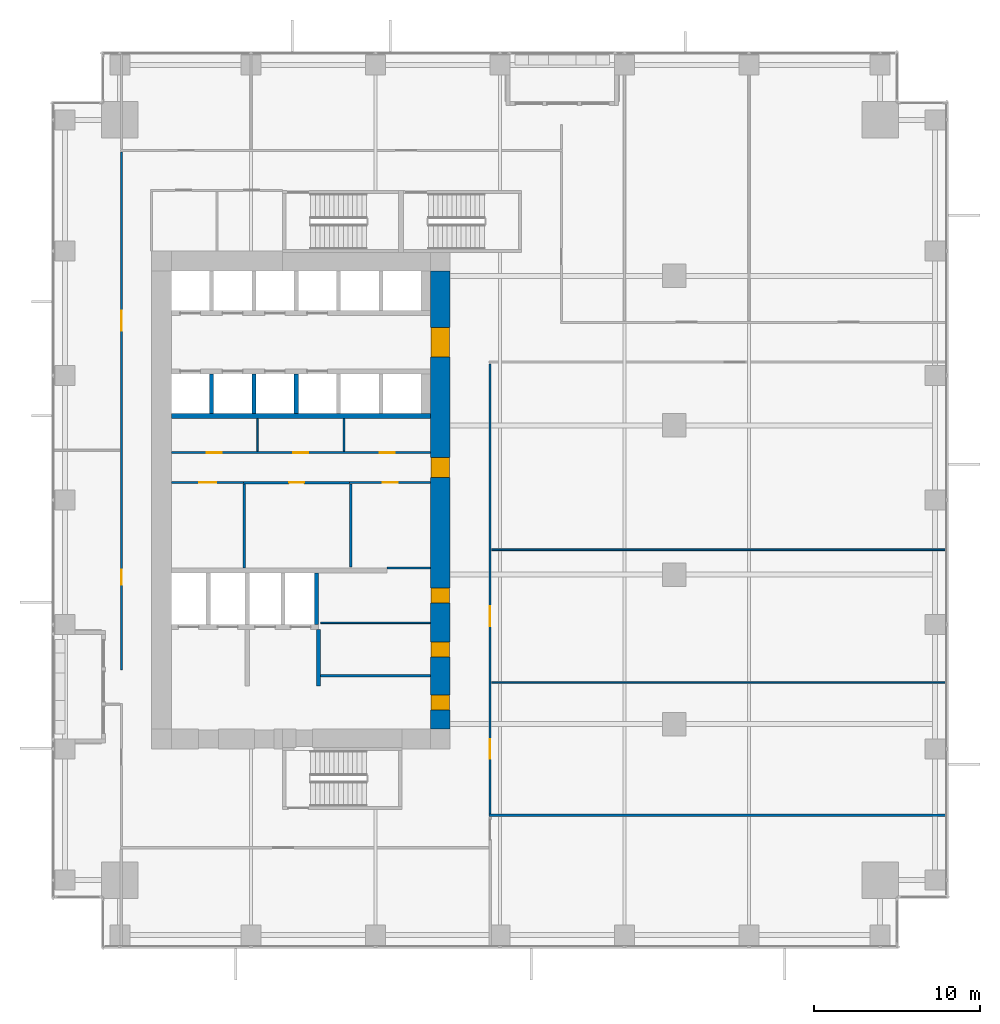
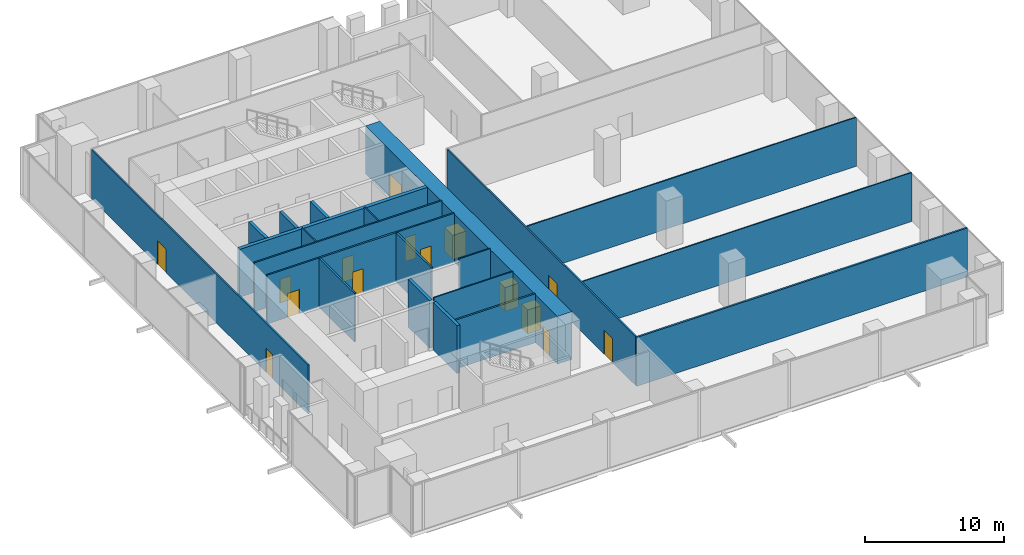
# One storey, part 28 of 33: 23 walls, 15 doors, 15 openings.
"""IFC4 building model written with IfcOpenShell, lengths in metres."""

import ifcopenshell
import ifcopenshell.guid

model = None  # the IFC model being written
_history = None  # IfcOwnerHistory: only IFC2X3 demands one
_inside = {}  # id of a spatial element -> (the spatial element, [elements in it])
_under = {}  # id of a project, library or spatial element -> (it, [spatial elements below it])
_declared = {}  # id of a project -> (the project, [libraries it declares])
_typed = {}  # id of a type object -> (the type object, [elements of that type])
_made_of = {}  # id of a material, layer set ... -> (it, [elements and type objects made of it])


def new_model(schema):
    """Start an empty IFC model of exactly this schema.

    Asked for "IFC4X3", IfcOpenShell would pick the latest addendum, in which some entities
    have other attributes; the version numbers below select the first issue.
    IFC2X3 requires an IfcOwnerHistory on every rooted entity: one is made here for all.
    """
    global model, _history
    if schema == "IFC4X3":
        model = ifcopenshell.file(schema_version=(4, 3, 0, 0))
    else:
        model = ifcopenshell.file(schema=schema)
    _inside.clear()
    _under.clear()
    _declared.clear()
    _typed.clear()
    _made_of.clear()
    _history = None
    if model.schema == "IFC2X3":
        org = make("IfcOrganization", Name="unknown")
        user = make(
            "IfcPersonAndOrganization",
            ThePerson=make("IfcPerson", FamilyName="unknown"),
            TheOrganization=org,
        )
        app = make(
            "IfcApplication",
            ApplicationDeveloper=org,
            Version="unknown",
            ApplicationFullName="unknown",
            ApplicationIdentifier="unknown",
        )
        _history = make(
            "IfcOwnerHistory",
            OwningUser=user,
            OwningApplication=app,
            ChangeAction="ADDED",
            CreationDate=0,
        )
    return model


def make(cls, **values):
    """One entity of the class cls with the attributes given. An attribute that is None is left unset."""
    return model.create_entity(
        cls, **{name: value for name, value in values.items() if value is not None}
    )


def rooted(cls, **values):
    """An entity with a GlobalId (a new one), such as an element, a storey or a relation."""
    return make(cls, GlobalId=ifcopenshell.guid.new(), OwnerHistory=_history, **values)


def si_unit(unit_type, name, prefix=None):
    """IfcSIUnit, for example si_unit("LENGTHUNIT", "METRE", prefix="MILLI")."""
    return make("IfcSIUnit", UnitType=unit_type, Prefix=prefix, Name=name)


def assignment(units):
    """IfcUnitAssignment: the units of a project."""
    return None if units is None else make("IfcUnitAssignment", Units=units)


def point(xyz):
    """IfcCartesianPoint."""
    return None if xyz is None else make("IfcCartesianPoint", Coordinates=xyz)


def direction(xyz):
    """IfcDirection."""
    return None if xyz is None else make("IfcDirection", DirectionRatios=xyz)


def frame(location, z_axis=None, x_axis=None):
    """IfcAxis2Placement3D, a coordinate frame: its origin and axes. An axis left out is left unset."""
    return make(
        "IfcAxis2Placement3D",
        Location=point(location),
        Axis=direction(z_axis),
        RefDirection=direction(x_axis),
    )


def frame_2d(location, x_axis=None):
    """IfcAxis2Placement2D, a coordinate frame in the plane: its origin and x axis."""
    return make(
        "IfcAxis2Placement2D", Location=point(location), RefDirection=direction(x_axis)
    )


def origin():
    """The frame at (0, 0, 0) with its axes left unset."""
    return frame((0.0, 0.0, 0.0))


def place(relative_to, where):
    """IfcLocalPlacement: puts the frame where relative to a parent placement (None: the world)."""
    return make(
        "IfcLocalPlacement", PlacementRelTo=relative_to, RelativePlacement=where
    )


def context(
    kind, dimensions, precision=None, world=None, true_north=None, identifier=None
):
    """IfcGeometricRepresentationContext, for example the 3D "Model" context."""
    return make(
        "IfcGeometricRepresentationContext",
        ContextIdentifier=identifier,
        ContextType=kind,
        CoordinateSpaceDimension=dimensions,
        Precision=precision,
        WorldCoordinateSystem=world,
        TrueNorth=true_north,
    )


def subcontext(parent, identifier, kind, view, scale=None):
    """IfcGeometricRepresentationSubContext, for example "Body" below "Model"."""
    return make(
        "IfcGeometricRepresentationSubContext",
        ContextIdentifier=identifier,
        ContextType=kind,
        ParentContext=parent,
        TargetScale=scale,
        TargetView=view,
    )


def project(units=None, contexts=None):
    """IfcProject with its units and contexts."""
    return rooted(
        "IfcProject",
        Name="project",
        RepresentationContexts=contexts,
        UnitsInContext=assignment(units),
    )


def spatial(cls, under=None, at=None, **own):
    """A site, building, storey or space (cls), placed at a placement, below another one or the project."""
    s = rooted(cls, ObjectPlacement=at, **own)
    if under is not None:
        _under.setdefault(under.id(), (under, []))[1].append(s)
    return s


def profile(cls, at=None, kind="AREA", **sizes):
    """A parametric profile (cls). Its sizes go by their IFC names, for example OverallWidth=200.0."""
    return make(cls, ProfileType=kind, Position=at, **sizes)


def rectangle(**sizes):
    """IfcRectangleProfileDef."""
    return profile("IfcRectangleProfileDef", **sizes)


def extrude(swept, where, along, depth):
    """IfcExtrudedAreaSolid: the profile swept, set in the frame where, extruded along a direction by depth."""
    return make(
        "IfcExtrudedAreaSolid",
        SweptArea=swept,
        Position=where,
        ExtrudedDirection=direction(along),
        Depth=depth,
    )


def shape(context_of_items, identifier, shape_type, items):
    """IfcShapeRepresentation: the items that make up one representation, for example the "Body"."""
    return make(
        "IfcShapeRepresentation",
        ContextOfItems=context_of_items,
        RepresentationIdentifier=identifier,
        RepresentationType=shape_type,
        Items=items,
    )


def source(mapping_origin, context_of_items, identifier, shape_type, items):
    """IfcRepresentationMap: a shape defined once, which mapped items show again and again."""
    return make(
        "IfcRepresentationMap",
        MappingOrigin=mapping_origin,
        MappedRepresentation=shape(context_of_items, identifier, shape_type, items),
    )


def transform(
    local_origin,
    x_axis=None,
    y_axis=None,
    z_axis=None,
    scale=None,
    scale2=None,
    scale3=None,
    uniform=True,
):
    """IfcCartesianTransformationOperator3D, or its non-uniform kind. x_axis, y_axis, z_axis: its Axis1, 2, 3."""
    if uniform:
        return make(
            "IfcCartesianTransformationOperator3D",
            Axis1=direction(x_axis),
            Axis2=direction(y_axis),
            LocalOrigin=point(local_origin),
            Scale=scale,
            Axis3=direction(z_axis),
        )
    return make(
        "IfcCartesianTransformationOperator3DnonUniform",
        Axis1=direction(x_axis),
        Axis2=direction(y_axis),
        LocalOrigin=point(local_origin),
        Scale=scale,
        Axis3=direction(z_axis),
        Scale2=scale2,
        Scale3=scale3,
    )


def mapped(mapping_source, mapping_target):
    """IfcMappedItem: shows the shape of a source again, moved by a transform."""
    return make(
        "IfcMappedItem", MappingSource=mapping_source, MappingTarget=mapping_target
    )


def material(Name=None, Category=None):
    """IfcMaterial."""
    return make("IfcMaterial", Name=Name, Category=Category)


def layer(
    of_material, thickness, ventilated=None, Name=None, Category=None, Priority=None
):
    """IfcMaterialLayer: one layer of a wall or slab, of a material (None: an air gap)."""
    return make(
        "IfcMaterialLayer",
        Material=of_material,
        LayerThickness=thickness,
        IsVentilated=ventilated,
        Name=Name,
        Category=Category,
        Priority=Priority,
    )


def layer_set(layers, Name=None):
    """IfcMaterialLayerSet."""
    return make("IfcMaterialLayerSet", MaterialLayers=layers, LayerSetName=Name)


def made_of(thing, what):
    """Note that an element or type object is made of a material, layer set ...; save() writes the relation."""
    if what is not None:
        _made_of.setdefault(what.id(), (what, []))[1].append(thing)
    return thing


def type_object(cls, material=None, **own):
    """A type object (cls), such as IfcWallType, which elements share."""
    return made_of(rooted(cls, **own), material)


def element(
    cls,
    number,
    at=None,
    inside=None,
    cuts=None,
    type_object=None,
    material=None,
    context=None,
    identifier="Body",
    shape_type=None,
    held_by="IfcProductDefinitionShape",
    body=None,
    shapes=None,
    **own,
):
    """One element of the class cls, such as IfcWall. Its Tag is "e" and its number.

    at: its placement. inside: the storey or other place that contains it. cuts: it is an
    opening in that element (IfcRelVoidsElement). A single representation is given by context,
    identifier, shape_type and body (its items); several are given by shapes. held_by: the class
    of the entity that holds the representations. save() writes the other relations.
    """
    e = rooted(cls, Tag="e%d" % number, ObjectPlacement=at, **own)
    if body is not None:
        shapes = [shape(context, identifier, shape_type, body)]
    if shapes is not None:
        e.Representation = make(held_by, Representations=shapes)
    if inside is not None:
        _inside.setdefault(inside.id(), (inside, []))[1].append(e)
    if cuts is not None:
        rooted(
            "IfcRelVoidsElement", RelatingBuildingElement=cuts, RelatedOpeningElement=e
        )
    if type_object is not None:
        _typed.setdefault(type_object.id(), (type_object, []))[1].append(e)
    return made_of(e, material)


def fill(opening, filler):
    """IfcRelFillsElement: the door or window that sits in an opening."""
    return rooted(
        "IfcRelFillsElement",
        RelatingOpeningElement=opening,
        RelatedBuildingElement=filler,
    )


def aggregate(whole, parts):
    """IfcRelAggregates: a whole, such as a stair, and the parts it consists of."""
    return rooted("IfcRelAggregates", RelatingObject=whole, RelatedObjects=parts)


def save(model, path):
    """Write the relations noted so far, then the file.

    IfcRelAggregates (storeys below a building ...), IfcRelContainedInSpatialStructure (elements
    in a storey), IfcRelDefinesByType, IfcRelAssociatesMaterial and IfcRelDeclares: one each for
    every whole, place, type object, material and project.
    """
    for whole, parts in _under.values():
        aggregate(whole, parts)
    for where, things in _inside.values():
        rooted(
            "IfcRelContainedInSpatialStructure",
            RelatedElements=things,
            RelatingStructure=where,
        )
    for kind, things in _typed.values():
        rooted("IfcRelDefinesByType", RelatedObjects=things, RelatingType=kind)
    for what, things in _made_of.values():
        rooted("IfcRelAssociatesMaterial", RelatedObjects=things, RelatingMaterial=what)
    for by, libraries in _declared.values():
        rooted("IfcRelDeclares", RelatingContext=by, RelatedDefinitions=libraries)
    model.write(path)


model = new_model("IFC4")

# Units and contexts
model_context = context("Model", 3, precision=1e-05, world=origin(), true_north=direction((0.0, 1.0)))
body_context = subcontext(model_context, "Body", "Model", "MODEL_VIEW")
ifc_project = project(units=[si_unit("LENGTHUNIT", "METRE"), si_unit("AREAUNIT", "SQUARE_METRE"), si_unit("VOLUMEUNIT", "CUBIC_METRE"), si_unit("PLANEANGLEUNIT", "RADIAN"), si_unit("MASSUNIT", "GRAM", prefix="KILO")], contexts=[model_context])

# Site, building, storey
site_placement = place(None, origin())
site = spatial("IfcSite", under=ifc_project, at=site_placement, CompositionType="ELEMENT")
building_placement = place(site_placement, origin())
building = spatial("IfcBuilding", under=site, at=building_placement, Name="Khomas Fold Tower", CompositionType="ELEMENT")
storey_placement = place(building_placement, frame((0.0, 0.0, 55.5)))
storey = spatial("IfcBuildingStorey", under=building, at=storey_placement, Name="L11", CompositionType="ELEMENT", Elevation=55.5)

# Wall, openings, doors
ifc_material_1 = material(Name="Concrete C70/85", Category="concrete")
ifc_layer_1 = layer(ifc_material_1, 1.199951171875)
ifc_layer_set_1 = layer_set([ifc_layer_1], Name="Concrete C70/85")
wall_type_1 = type_object("IfcWallType", Name="Core wall 1200", PredefinedType="SHEAR", material=ifc_layer_set_1)
shared_shape_1 = source(origin(), body_context, "Body", "SweptSolid", [
    extrude(rectangle(XDim=27.60009765625, YDim=1.199951171875, at=frame_2d((13.800048828125, 0.0))), origin(), (0.0, 0.0, 1.0), 4.199951171875),
])
wall_1_placement = place(storey_placement, frame((23.39990234375, 13.199951171875, 0.0), z_axis=(0.0, 0.0, 1.0), x_axis=(0.0, 1.0, 0.0)))
wall_1 = element("IfcWall", 1, at=wall_1_placement, inside=storey, type_object=wall_type_1, Name="Core wall CW-L-E-B2", PredefinedType="SHEAR", context=body_context, shape_type="MappedRepresentation", body=[
    mapped(shared_shape_1, transform((0.0, 0.0, 0.0))),
])
shared_shape_2 = source(origin(), body_context, "Body", "SweptSolid", [
    extrude(rectangle(XDim=1.800048828125, YDim=2.10009765625, at=frame_2d((0.89990234375, 1.050048828125))), frame((0.0, 0.60986328125, 0.0), z_axis=(0.0, -1.0, 0.0), x_axis=(1.0, 0.0, 0.0)), (0.0, 0.0, 1.0), 1.219970703125),
])
opening_1_placement = place(wall_1_placement, frame((22.39990234375, 0.0, 0.0)))
opening_1 = element("IfcOpeningElement", 2, at=opening_1_placement, cuts=wall_1, Name="Opening 0015", PredefinedType="OPENING", context=body_context, shape_type="MappedRepresentation", body=[
    mapped(shared_shape_2, transform((0.0, 0.0, 0.0))),
])
shared_shape_3 = source(origin(), body_context, "Body", "SweptSolid", [
    extrude(rectangle(XDim=1.199951171875, YDim=2.10009765625, at=frame_2d((0.60009765625, 1.050048828125))), frame((0.0, 0.60986328125, 0.0), z_axis=(0.0, -1.0, 0.0), x_axis=(1.0, 0.0, 0.0)), (0.0, 0.0, 1.0), 1.219970703125),
])
opening_2_placement = place(wall_1_placement, frame((15.14990234375, 0.0, 0.0)))
opening_2 = element("IfcOpeningElement", 3, at=opening_2_placement, cuts=wall_1, Name="Opening 0001", PredefinedType="OPENING", context=body_context, shape_type="MappedRepresentation", body=[
    mapped(shared_shape_3, transform((0.0, 0.0, 0.0))),
])
shared_shape_4 = source(origin(), body_context, "Body", "SweptSolid", [
    extrude(rectangle(XDim=0.89990234375, YDim=2.10009765625, at=frame_2d((0.449951171875, 1.050048828125))), frame((0.0, 0.60986328125, 0.0), z_axis=(0.0, -1.0, 0.0), x_axis=(1.0, 0.0, 0.0)), (0.0, 0.0, 1.0), 1.219970703125),
])
opening_3_placement = place(wall_1_placement, frame((1.14990234375, 0.0, 0.0)))
opening_3 = element("IfcOpeningElement", 4, at=opening_3_placement, cuts=wall_1, Name="Opening 0003", PredefinedType="OPENING", context=body_context, shape_type="MappedRepresentation", body=[
    mapped(shared_shape_4, transform((0.0, 0.0, 0.0))),
])
opening_4_placement = place(wall_1_placement, frame((4.35009765625, 0.0, 0.0)))
opening_4 = element("IfcOpeningElement", 5, at=opening_4_placement, cuts=wall_1, Name="Opening 0008", PredefinedType="OPENING", context=body_context, shape_type="MappedRepresentation", body=[
    mapped(shared_shape_4, transform((0.0, 0.0, 0.0))),
])
opening_5_placement = place(wall_1_placement, frame((7.60009765625, 0.0, 0.0)))
opening_5 = element("IfcOpeningElement", 6, at=opening_5_placement, cuts=wall_1, Name="Opening 0008", PredefinedType="OPENING", context=body_context, shape_type="MappedRepresentation", body=[
    mapped(shared_shape_4, transform((0.0, 0.0, 0.0))),
])
ifc_material_2 = material(Name="Timber door leaf", Category="wood")
door_type_1 = type_object("IfcDoorType", Name="Door 1200x2100 right-hand", OperationType="SINGLE_SWING_RIGHT", PredefinedType="DOOR", material=ifc_material_2)
shared_shape_5 = source(origin(), body_context, "Body", "SweptSolid", [
    extrude(rectangle(XDim=1.199951171875, YDim=2.10009765625, at=frame_2d((0.60009765625, 1.050048828125))), frame((0.0, 0.5498046875, 0.0), z_axis=(0.0, -1.0, 0.0), x_axis=(1.0, 0.0, 0.0)), (0.0, 0.0, 1.0), 1.099853515625),
])
door_1_placement = place(opening_2_placement, origin())
door_1 = element("IfcDoor", 7, at=door_1_placement, inside=storey, type_object=door_type_1, Name="Door", OperationType="SINGLE_SWING_RIGHT", OverallHeight=2.10009765625, OverallWidth=1.199951171875, PredefinedType="DOOR", context=body_context, shape_type="MappedRepresentation", body=[
    mapped(shared_shape_5, transform((0.0, 0.0, 0.0))),
])
fill(opening_2, door_1)
ifc_material_3 = material(Name="Steel door leaf", Category="steel")
door_type_2 = type_object("IfcDoorType", Name="Plant room door 900x2100 right-hand", OperationType="SINGLE_SWING_RIGHT", PredefinedType="DOOR", material=ifc_material_3)
shared_shape_6 = source(origin(), body_context, "Body", "SweptSolid", [
    extrude(rectangle(XDim=0.89990234375, YDim=2.10009765625, at=frame_2d((0.449951171875, 1.050048828125))), frame((0.0, 0.5498046875, 0.0), z_axis=(0.0, -1.0, 0.0), x_axis=(1.0, 0.0, 0.0)), (0.0, 0.0, 1.0), 1.099853515625),
])
door_2_placement = place(opening_3_placement, origin())
door_2 = element("IfcDoor", 8, at=door_2_placement, inside=storey, type_object=door_type_2, Name="Plant room door", OperationType="SINGLE_SWING_RIGHT", OverallHeight=2.10009765625, OverallWidth=0.89990234375, PredefinedType="DOOR", context=body_context, shape_type="MappedRepresentation", body=[
    mapped(shared_shape_6, transform((0.0, 0.0, 0.0))),
])
fill(opening_3, door_2)
ifc_material_4 = material(Name="Timber door leaf", Category="wood")
door_type_3 = type_object("IfcDoorType", Name="Door 900x2100 right-hand", OperationType="SINGLE_SWING_RIGHT", PredefinedType="DOOR", material=ifc_material_4)
door_3_placement = place(opening_4_placement, origin())
door_3 = element("IfcDoor", 9, at=door_3_placement, inside=storey, type_object=door_type_3, Name="Door", OperationType="SINGLE_SWING_RIGHT", OverallHeight=2.10009765625, OverallWidth=0.89990234375, PredefinedType="DOOR", context=body_context, shape_type="MappedRepresentation", body=[
    mapped(shared_shape_6, transform((0.0, 0.0, 0.0))),
])
fill(opening_4, door_3)
door_4_placement = place(opening_5_placement, origin())
door_4 = element("IfcDoor", 10, at=door_4_placement, inside=storey, type_object=door_type_3, Name="Door", OperationType="SINGLE_SWING_RIGHT", OverallHeight=2.10009765625, OverallWidth=0.89990234375, PredefinedType="DOOR", context=body_context, shape_type="MappedRepresentation", body=[
    mapped(shared_shape_6, transform((0.0, 0.0, 0.0))),
])
fill(opening_5, door_4)
ifc_material_5 = material(Name="Steel door leaf", Category="steel")
door_type_4 = type_object("IfcDoorType", Name="Lobby door 1800x2100", OperationType="DOUBLE_DOOR_SINGLE_SWING", PredefinedType="DOOR", material=ifc_material_5)
shared_shape_7 = source(origin(), body_context, "Body", "SweptSolid", [
    extrude(rectangle(XDim=1.800048828125, YDim=2.10009765625, at=frame_2d((0.89990234375, 1.050048828125))), frame((0.0, 0.5498046875, 0.0), z_axis=(0.0, -1.0, 0.0), x_axis=(1.0, 0.0, 0.0)), (0.0, 0.0, 1.0), 1.099853515625),
])
door_5_placement = place(opening_1_placement, origin())
door_5 = element("IfcDoor", 11, at=door_5_placement, inside=storey, type_object=door_type_4, Name="Lobby door", OperationType="DOUBLE_DOOR_SINGLE_SWING", OverallHeight=2.10009765625, OverallWidth=1.800048828125, PredefinedType="DOOR", context=body_context, shape_type="MappedRepresentation", body=[
    mapped(shared_shape_7, transform((0.0, 0.0, 0.0))),
])
fill(opening_1, door_5)

# Walls
ifc_material_6 = material(Name="Concrete C50/60", Category="concrete")
ifc_layer_2 = layer(ifc_material_6, 0.300048828125)
ifc_layer_set_2 = layer_set([ifc_layer_2], Name="Concrete C50/60")
wall_type_2 = type_object("IfcWallType", Name="Shaft wall 300", PredefinedType="STANDARD", material=ifc_layer_set_2)
shared_shape_8 = source(origin(), body_context, "Body", "SweptSolid", [
    extrude(rectangle(XDim=15.60009765625, YDim=0.300048828125, at=frame_2d((7.800048828125, 0.0))), origin(), (0.0, 0.0, 1.0), 4.199951171875),
])
wall_2_placement = place(storey_placement, frame((7.199951171875, 32.050048828125, 0.0), z_axis=(0.0, 0.0, 1.0), x_axis=(1.0, 0.0, 0.0)))
element("IfcWall", 12, at=wall_2_placement, inside=storey, type_object=wall_type_2, Name="Core wall SW-HRN-B", PredefinedType="STANDARD", context=body_context, shape_type="MappedRepresentation", body=[
    mapped(shared_shape_8, transform((0.0, 0.0, 0.0))),
])
ifc_material_7 = material(Name="Concrete C50/60", Category="concrete")
ifc_layer_3 = layer(ifc_material_7, 0.25)
ifc_layer_set_3 = layer_set([ifc_layer_3], Name="Concrete C50/60")
wall_type_3 = type_object("IfcWallType", Name="Shaft wall 250", PredefinedType="STANDARD", material=ifc_layer_set_3)
shared_shape_9 = source(origin(), body_context, "Body", "SweptSolid", [
    extrude(rectangle(XDim=3.10009765625, YDim=0.25, at=frame_2d((1.550048828125, 0.0))), origin(), (0.0, 0.0, 1.0), 4.199951171875),
])
wall_3_placement = place(storey_placement, frame((15.949951171875, 19.5, 0.0), z_axis=(0.0, 0.0, 1.0), x_axis=(0.0, 1.0, 0.0)))
element("IfcWall", 13, at=wall_3_placement, inside=storey, type_object=wall_type_3, Name="Core wall SW-FS-PE", PredefinedType="STANDARD", context=body_context, shape_type="MappedRepresentation", body=[
    mapped(shared_shape_9, transform((0.0, 0.0, 0.0))),
])
shared_shape_10 = source(origin(), body_context, "Body", "SweptSolid", [
    extrude(rectangle(XDim=2.400146484375, YDim=0.25, at=frame_2d((1.2001953125, 0.0))), origin(), (0.0, 0.0, 1.0), 4.199951171875),
])
for number, where, z_axis, x_axis, name in (
    (14, (9.625, 32.199951171875, 0.0), (0.0, 0.0, 1.0), (0.0, 1.0, 0.0), "Core wall SW-LRS-P1"),
    (15, (12.175048828125, 32.199951171875, 0.0), (0.0, 0.0, 1.0), (0.0, 1.0, 0.0), "Core wall SW-LRS-P2"),
    (16, (14.72509765625, 32.199951171875, 0.0), (0.0, 0.0, 1.0), (0.0, 1.0, 0.0), "Core wall SW-LRS-P3"),
):
    element("IfcWall", number, at=place(storey_placement, frame(where, z_axis=z_axis, x_axis=x_axis)), inside=storey, type_object=wall_type_3, Name=name, PredefinedType="STANDARD", context=body_context, shape_type="MappedRepresentation", body=[
        mapped(shared_shape_10, transform((0.0, 0.0, 0.0))),
    ])
ifc_material_8 = material(Name="Concrete C50/60", Category="concrete")
ifc_layer_4 = layer(ifc_material_8, 0.25)
ifc_layer_set_4 = layer_set([ifc_layer_4], Name="Concrete C50/60")
wall_type_4 = type_object("IfcWallType", Name="Lobby wall 250", PredefinedType="STANDARD", material=ifc_layer_set_4)
shared_shape_11 = source(origin(), body_context, "Body", "SweptSolid", [
    extrude(rectangle(XDim=3.39990234375, YDim=0.25, at=frame_2d((1.699951171875, 0.0))), origin(), (0.0, 0.0, 1.0), 4.199951171875),
])
wall_4_placement = place(storey_placement, frame((16.074951171875, 15.800048828125, 0.0), z_axis=(0.0, 0.0, 1.0), x_axis=(0.0, 1.0, 0.0)))
element("IfcWall", 17, at=wall_4_placement, inside=storey, type_object=wall_type_4, Name="Core wall SW-FS-LOB-E", PredefinedType="STANDARD", context=body_context, shape_type="MappedRepresentation", body=[
    mapped(shared_shape_11, transform((0.0, 0.0, 0.0))),
])
ifc_material_9 = material(Name="Plasterboard fire partition")
ifc_layer_5 = layer(ifc_material_9, 0.14990234375)
ifc_layer_set_5 = layer_set([ifc_layer_5], Name="Plasterboard fire partition")
wall_type_5 = type_object("IfcWallType", Name="Plant room wall PW3 150", PredefinedType="PARTITIONING", material=ifc_layer_set_5)
shared_shape_12 = source(origin(), body_context, "Body", "SweptSolid", [
    extrude(rectangle(XDim=27.5, YDim=0.14990234375, at=frame_2d((13.75, 0.0))), origin(), (0.0, 0.0, 1.0), 4.300048828125),
])
wall_5_placement = place(storey_placement, frame((26.35009765625, 8.0, 0.0), z_axis=(0.0, 0.0, 1.0), x_axis=(1.0, 0.0, 0.0)))
element("IfcWall", 18, at=wall_5_placement, inside=storey, type_object=wall_type_5, Name="Plant room wall", PredefinedType="PARTITIONING", context=body_context, shape_type="MappedRepresentation", body=[
    mapped(shared_shape_12, transform((0.0, 0.0, 0.0))),
])

# Wall, openings, doors
ifc_material_10 = material(Name="Plasterboard partition")
ifc_layer_6 = layer(ifc_material_10, 0.125)
ifc_layer_set_6 = layer_set([ifc_layer_6], Name="Plasterboard partition")
wall_type_6 = type_object("IfcWallType", Name="Partition PW2 125", PredefinedType="PARTITIONING", material=ifc_layer_set_6)
shared_shape_13 = source(origin(), body_context, "Body", "SweptSolid", [
    extrude(rectangle(XDim=27.099853515625, YDim=0.125, at=frame_2d((13.5498046875, 0.0))), origin(), (0.0, 0.0, 1.0), 4.300048828125),
])
wall_6_placement = place(storey_placement, frame((26.39990234375, 8.10009765625, 0.0), z_axis=(0.0, 0.0, 1.0), x_axis=(0.0, 1.0, 0.0)))
wall_6 = element("IfcWall", 19, at=wall_6_placement, inside=storey, type_object=wall_type_6, Name="Partition", PredefinedType="PARTITIONING", context=body_context, shape_type="MappedRepresentation", body=[
    mapped(shared_shape_13, transform((0.0, 0.0, 0.0))),
])
shared_shape_14 = source(origin(), body_context, "Body", "SweptSolid", [
    extrude(rectangle(XDim=1.199951171875, YDim=2.10009765625, at=frame_2d((0.60009765625, 1.050048828125))), frame((0.0, 0.072509765625, 0.0), z_axis=(0.0, -1.0, 0.0), x_axis=(1.0, 0.0, 0.0)), (0.0, 0.0, 1.0), 0.14501953125),
])
opening_6_placement = place(wall_6_placement, frame((3.300048828125, 0.0, 0.0)))
opening_6 = element("IfcOpeningElement", 20, at=opening_6_placement, cuts=wall_6, Name="Opening 0013", PredefinedType="OPENING", context=body_context, shape_type="MappedRepresentation", body=[
    mapped(shared_shape_14, transform((0.0, 0.0, 0.0))),
])
opening_7_placement = place(wall_6_placement, frame((11.300048828125, 0.0, 0.0)))
opening_7 = element("IfcOpeningElement", 21, at=opening_7_placement, cuts=wall_6, Name="Opening 0001", PredefinedType="OPENING", context=body_context, shape_type="MappedRepresentation", body=[
    mapped(shared_shape_14, transform((0.0, 0.0, 0.0))),
])
ifc_material_11 = material(Name="Timber door leaf", Category="wood")
door_type_5 = type_object("IfcDoorType", Name="Door 1200x2100 left-hand", OperationType="SINGLE_SWING_LEFT", PredefinedType="DOOR", material=ifc_material_11)
shared_shape_15 = source(origin(), body_context, "Body", "SweptSolid", [
    extrude(rectangle(XDim=1.199951171875, YDim=2.10009765625, at=frame_2d((0.60009765625, 1.050048828125))), frame((0.0, 0.02490234375, 0.0), z_axis=(0.0, -1.0, 0.0), x_axis=(1.0, 0.0, 0.0)), (0.0, 0.0, 1.0), 0.050048828125),
])
door_6_placement = place(opening_6_placement, origin())
door_6 = element("IfcDoor", 22, at=door_6_placement, inside=storey, type_object=door_type_5, Name="Door", OperationType="SINGLE_SWING_LEFT", OverallHeight=2.10009765625, OverallWidth=1.199951171875, PredefinedType="DOOR", context=body_context, shape_type="MappedRepresentation", body=[
    mapped(shared_shape_15, transform((0.0, 0.0, 0.0))),
])
fill(opening_6, door_6)
door_7_placement = place(opening_7_placement, origin())
door_7 = element("IfcDoor", 23, at=door_7_placement, inside=storey, type_object=door_type_1, Name="Door", OperationType="SINGLE_SWING_RIGHT", OverallHeight=2.10009765625, OverallWidth=1.199951171875, PredefinedType="DOOR", context=body_context, shape_type="MappedRepresentation", body=[
    mapped(shared_shape_15, transform((0.0, 0.0, 0.0))),
])
fill(opening_7, door_7)

# Walls
ifc_material_12 = material(Name="Plasterboard partition")
ifc_layer_7 = layer(ifc_material_12, 0.10009765625)
ifc_layer_set_7 = layer_set([ifc_layer_7], Name="Plasterboard partition")
wall_type_7 = type_object("IfcWallType", Name="Partition PW1 100", PredefinedType="PARTITIONING", material=ifc_layer_set_7)
shared_shape_16 = source(origin(), body_context, "Body", "SweptSolid", [
    extrude(rectangle(XDim=27.35009765625, YDim=0.10009765625, at=frame_2d((13.675048828125, 0.0))), origin(), (0.0, 0.0, 1.0), 4.300048828125),
])
for number, where, z_axis, x_axis, name in (
    (24, (26.5, 16.0, 0.0), (0.0, 0.0, 1.0), (1.0, 0.0, 0.0), "Partition"),
    (25, (26.5, 24.0, 0.0), (0.0, 0.0, 1.0), (1.0, 0.0, 0.0), "Partition"),
):
    element("IfcWall", number, at=place(storey_placement, frame(where, z_axis=z_axis, x_axis=x_axis)), inside=storey, type_object=wall_type_7, Name=name, PredefinedType="PARTITIONING", context=body_context, shape_type="MappedRepresentation", body=[
        mapped(shared_shape_16, transform((0.0, 0.0, 0.0))),
    ])
shared_shape_17 = source(origin(), body_context, "Body", "SweptSolid", [
    extrude(rectangle(XDim=6.60009765625, YDim=0.14990234375, at=frame_2d((3.300048828125, 0.0))), origin(), (0.0, 0.0, 1.0), 4.300048828125),
])
wall_7_placement = place(storey_placement, frame((16.199951171875, 16.39990234375, 0.0), z_axis=(0.0, 0.0, 1.0), x_axis=(1.0, 0.0, 0.0)))
element("IfcWall", 26, at=wall_7_placement, inside=storey, type_object=wall_type_5, Name="Plant room wall", PredefinedType="PARTITIONING", context=body_context, shape_type="MappedRepresentation", body=[
    mapped(shared_shape_17, transform((0.0, 0.0, 0.0))),
])
shared_shape_18 = source(origin(), body_context, "Body", "SweptSolid", [
    extrude(rectangle(XDim=6.60009765625, YDim=0.10009765625, at=frame_2d((3.300048828125, 0.0))), origin(), (0.0, 0.0, 1.0), 4.300048828125),
])
wall_8_placement = place(storey_placement, frame((16.199951171875, 19.60009765625, 0.0), z_axis=(0.0, 0.0, 1.0), x_axis=(1.0, 0.0, 0.0)))
element("IfcWall", 27, at=wall_8_placement, inside=storey, type_object=wall_type_7, Name="Partition", PredefinedType="PARTITIONING", context=body_context, shape_type="MappedRepresentation", body=[
    mapped(shared_shape_18, transform((0.0, 0.0, 0.0))),
])
shared_shape_19 = source(origin(), body_context, "Body", "SweptSolid", [
    extrude(rectangle(XDim=5.050048828125, YDim=0.14990234375, at=frame_2d((2.52490234375, 0.0))), origin(), (0.0, 0.0, 1.0), 4.300048828125),
])
wall_9_placement = place(storey_placement, frame((11.60009765625, 22.89990234375, 0.0), z_axis=(0.0, 0.0, 1.0), x_axis=(0.0, 1.0, 0.0)))
element("IfcWall", 28, at=wall_9_placement, inside=storey, type_object=wall_type_5, Name="Plant room wall", PredefinedType="PARTITIONING", context=body_context, shape_type="MappedRepresentation", body=[
    mapped(shared_shape_19, transform((0.0, 0.0, 0.0))),
])
shared_shape_20 = source(origin(), body_context, "Body", "SweptSolid", [
    extrude(rectangle(XDim=2.60009765625, YDim=0.10009765625, at=frame_2d((1.300048828125, 0.0))), origin(), (0.0, 0.0, 1.0), 4.300048828125),
])
wall_10_placement = place(storey_placement, frame((20.199951171875, 22.89990234375, 0.0), z_axis=(0.0, 0.0, 1.0), x_axis=(1.0, 0.0, 0.0)))
element("IfcWall", 29, at=wall_10_placement, inside=storey, type_object=wall_type_7, Name="Partition", PredefinedType="PARTITIONING", context=body_context, shape_type="MappedRepresentation", body=[
    mapped(shared_shape_20, transform((0.0, 0.0, 0.0))),
])
shared_shape_21 = source(origin(), body_context, "Body", "SweptSolid", [
    extrude(rectangle(XDim=5.0, YDim=0.14990234375, at=frame_2d((2.5, 0.0))), origin(), (0.0, 0.0, 1.0), 4.300048828125),
])
wall_11_placement = place(storey_placement, frame((18.0, 22.949951171875, 0.0), z_axis=(0.0, 0.0, 1.0), x_axis=(0.0, 1.0, 0.0)))
element("IfcWall", 30, at=wall_11_placement, inside=storey, type_object=wall_type_5, Name="Plant room wall", PredefinedType="PARTITIONING", context=body_context, shape_type="MappedRepresentation", body=[
    mapped(shared_shape_21, transform((0.0, 0.0, 0.0))),
])

# Wall, opening, door
shared_shape_22 = source(origin(), body_context, "Body", "SweptSolid", [
    extrude(rectangle(XDim=4.35009765625, YDim=0.125, at=frame_2d((2.175048828125, 0.0))), origin(), (0.0, 0.0, 1.0), 4.300048828125),
])
wall_12_placement = place(storey_placement, frame((7.199951171875, 28.050048828125, 0.0), z_axis=(0.0, 0.0, 1.0), x_axis=(1.0, 0.0, 0.0)))
wall_12 = element("IfcWall", 31, at=wall_12_placement, inside=storey, type_object=wall_type_6, Name="Partition", PredefinedType="PARTITIONING", context=body_context, shape_type="MappedRepresentation", body=[
    mapped(shared_shape_22, transform((0.0, 0.0, 0.0))),
])
shared_shape_23 = source(origin(), body_context, "Body", "SweptSolid", [
    extrude(rectangle(XDim=1.0, YDim=2.10009765625, at=frame_2d((0.5, 1.050048828125))), frame((0.0, 0.072509765625, 0.0), z_axis=(0.0, -1.0, 0.0), x_axis=(1.0, 0.0, 0.0)), (0.0, 0.0, 1.0), 0.14501953125),
])
opening_8_placement = place(wall_12_placement, frame((1.699951171875, 0.0, 0.0)))
opening_8 = element("IfcOpeningElement", 32, at=opening_8_placement, cuts=wall_12, Name="Opening 0014", PredefinedType="OPENING", context=body_context, shape_type="MappedRepresentation", body=[
    mapped(shared_shape_23, transform((0.0, 0.0, 0.0))),
])
ifc_material_13 = material(Name="Timber door leaf", Category="wood")
door_type_6 = type_object("IfcDoorType", Name="WC door 1000x2100 left-hand", OperationType="SINGLE_SWING_LEFT", PredefinedType="DOOR", material=ifc_material_13)
shared_shape_24 = source(origin(), body_context, "Body", "SweptSolid", [
    extrude(rectangle(XDim=1.0, YDim=2.10009765625, at=frame_2d((0.5, 1.050048828125))), frame((0.0, 0.02490234375, 0.0), z_axis=(0.0, -1.0, 0.0), x_axis=(1.0, 0.0, 0.0)), (0.0, 0.0, 1.0), 0.050048828125),
])
door_8_placement = place(opening_8_placement, origin())
door_8 = element("IfcDoor", 33, at=door_8_placement, inside=storey, type_object=door_type_6, Name="WC door", OperationType="SINGLE_SWING_LEFT", OverallHeight=2.10009765625, OverallWidth=1.0, PredefinedType="DOOR", context=body_context, shape_type="MappedRepresentation", body=[
    mapped(shared_shape_24, transform((0.0, 0.0, 0.0))),
])
fill(opening_8, door_8)

shared_shape_25 = source(origin(), body_context, "Body", "SweptSolid", [
    extrude(rectangle(XDim=6.39990234375, YDim=0.14990234375, at=frame_2d((3.199951171875, 0.0))), origin(), (0.0, 0.0, 1.0), 4.300048828125),
])
wall_13_placement = place(storey_placement, frame((11.550048828125, 28.050048828125, 0.0), z_axis=(0.0, 0.0, 1.0), x_axis=(1.0, 0.0, 0.0)))
wall_13 = element("IfcWall", 34, at=wall_13_placement, inside=storey, type_object=wall_type_5, Name="Plant room wall", PredefinedType="PARTITIONING", context=body_context, shape_type="MappedRepresentation", body=[
    mapped(shared_shape_25, transform((0.0, 0.0, 0.0))),
])
shared_shape_26 = source(origin(), body_context, "Body", "SweptSolid", [
    extrude(rectangle(XDim=0.89990234375, YDim=2.10009765625, at=frame_2d((0.449951171875, 1.050048828125))), frame((0.0, 0.0849609375, 0.0), z_axis=(0.0, -1.0, 0.0), x_axis=(1.0, 0.0, 0.0)), (0.0, 0.0, 1.0), 0.169921875),
])
opening_9_placement = place(wall_13_placement, frame((2.75, 0.0, 0.0)))
opening_9 = element("IfcOpeningElement", 35, at=opening_9_placement, cuts=wall_13, Name="Opening 0003", PredefinedType="OPENING", context=body_context, shape_type="MappedRepresentation", body=[
    mapped(shared_shape_26, transform((0.0, 0.0, 0.0))),
])
shared_shape_27 = source(origin(), body_context, "Body", "SweptSolid", [
    extrude(rectangle(XDim=0.89990234375, YDim=2.10009765625, at=frame_2d((0.449951171875, 1.050048828125))), frame((0.0, 0.02490234375, 0.0), z_axis=(0.0, -1.0, 0.0), x_axis=(1.0, 0.0, 0.0)), (0.0, 0.0, 1.0), 0.050048828125),
])
door_9_placement = place(opening_9_placement, origin())
door_9 = element("IfcDoor", 36, at=door_9_placement, inside=storey, type_object=door_type_2, Name="Plant room door", OperationType="SINGLE_SWING_RIGHT", OverallHeight=2.10009765625, OverallWidth=0.89990234375, PredefinedType="DOOR", context=body_context, shape_type="MappedRepresentation", body=[
    mapped(shared_shape_27, transform((0.0, 0.0, 0.0))),
])
fill(opening_9, door_9)

shared_shape_28 = source(origin(), body_context, "Body", "SweptSolid", [
    extrude(rectangle(XDim=4.85009765625, YDim=0.125, at=frame_2d((2.425048828125, 0.0))), origin(), (0.0, 0.0, 1.0), 4.300048828125),
])
wall_14_placement = place(storey_placement, frame((17.949951171875, 28.050048828125, 0.0), z_axis=(0.0, 0.0, 1.0), x_axis=(1.0, 0.0, 0.0)))
wall_14 = element("IfcWall", 37, at=wall_14_placement, inside=storey, type_object=wall_type_6, Name="Partition", PredefinedType="PARTITIONING", context=body_context, shape_type="MappedRepresentation", body=[
    mapped(shared_shape_28, transform((0.0, 0.0, 0.0))),
])
shared_shape_29 = source(origin(), body_context, "Body", "SweptSolid", [
    extrude(rectangle(XDim=0.89990234375, YDim=2.10009765625, at=frame_2d((0.449951171875, 1.050048828125))), frame((0.0, 0.072509765625, 0.0), z_axis=(0.0, -1.0, 0.0), x_axis=(1.0, 0.0, 0.0)), (0.0, 0.0, 1.0), 0.14501953125),
])
opening_10_placement = place(wall_14_placement, frame((2.0, 0.0, 0.0)))
opening_10 = element("IfcOpeningElement", 38, at=opening_10_placement, cuts=wall_14, Name="Opening 0007", PredefinedType="OPENING", context=body_context, shape_type="MappedRepresentation", body=[
    mapped(shared_shape_29, transform((0.0, 0.0, 0.0))),
])
ifc_material_14 = material(Name="Timber door leaf", Category="wood")
door_type_7 = type_object("IfcDoorType", Name="Door 900x2100 left-hand", OperationType="SINGLE_SWING_LEFT", PredefinedType="DOOR", material=ifc_material_14)
door_10_placement = place(opening_10_placement, origin())
door_10 = element("IfcDoor", 39, at=door_10_placement, inside=storey, type_object=door_type_7, Name="Door", OperationType="SINGLE_SWING_LEFT", OverallHeight=2.10009765625, OverallWidth=0.89990234375, PredefinedType="DOOR", context=body_context, shape_type="MappedRepresentation", body=[
    mapped(shared_shape_27, transform((0.0, 0.0, 0.0))),
])
fill(opening_10, door_10)

# Wall, openings, doors
shared_shape_30 = source(origin(), body_context, "Body", "SweptSolid", [
    extrude(rectangle(XDim=15.60009765625, YDim=0.125, at=frame_2d((7.800048828125, 0.0))), origin(), (0.0, 0.0, 1.0), 4.300048828125),
])
wall_15_placement = place(storey_placement, frame((7.199951171875, 29.85009765625, 0.0), z_axis=(0.0, 0.0, 1.0), x_axis=(1.0, 0.0, 0.0)))
wall_15 = element("IfcWall", 40, at=wall_15_placement, inside=storey, type_object=wall_type_6, Name="Partition", PredefinedType="PARTITIONING", context=body_context, shape_type="MappedRepresentation", body=[
    mapped(shared_shape_30, transform((0.0, 0.0, 0.0))),
])
opening_11_placement = place(wall_15_placement, frame((2.14990234375, 0.0, 0.0)))
opening_11 = element("IfcOpeningElement", 41, at=opening_11_placement, cuts=wall_15, Name="Opening 0005", PredefinedType="OPENING", context=body_context, shape_type="MappedRepresentation", body=[
    mapped(shared_shape_29, transform((0.0, 0.0, 0.0))),
])
opening_12_placement = place(wall_15_placement, frame((7.35009765625, 0.0, 0.0)))
opening_12 = element("IfcOpeningElement", 42, at=opening_12_placement, cuts=wall_15, Name="Opening 0004", PredefinedType="OPENING", context=body_context, shape_type="MappedRepresentation", body=[
    mapped(shared_shape_29, transform((0.0, 0.0, 0.0))),
])
opening_13_placement = place(wall_15_placement, frame((12.550048828125, 0.0, 0.0)))
opening_13 = element("IfcOpeningElement", 43, at=opening_13_placement, cuts=wall_15, Name="Opening 0007", PredefinedType="OPENING", context=body_context, shape_type="MappedRepresentation", body=[
    mapped(shared_shape_29, transform((0.0, 0.0, 0.0))),
])
ifc_material_15 = material(Name="Timber door leaf", Category="wood")
door_type_8 = type_object("IfcDoorType", Name="WC door 900x2100 left-hand", OperationType="SINGLE_SWING_LEFT", PredefinedType="DOOR", material=ifc_material_15)
door_11_placement = place(opening_11_placement, origin())
door_11 = element("IfcDoor", 44, at=door_11_placement, inside=storey, type_object=door_type_8, Name="WC door", OperationType="SINGLE_SWING_LEFT", OverallHeight=2.10009765625, OverallWidth=0.89990234375, PredefinedType="DOOR", context=body_context, shape_type="MappedRepresentation", body=[
    mapped(shared_shape_27, transform((0.0, 0.0, 0.0))),
])
fill(opening_11, door_11)
ifc_material_16 = material(Name="Timber door leaf", Category="wood")
door_type_9 = type_object("IfcDoorType", Name="WC door 900x2100 right-hand", OperationType="SINGLE_SWING_RIGHT", PredefinedType="DOOR", material=ifc_material_16)
door_12_placement = place(opening_12_placement, origin())
door_12 = element("IfcDoor", 45, at=door_12_placement, inside=storey, type_object=door_type_9, Name="WC door", OperationType="SINGLE_SWING_RIGHT", OverallHeight=2.10009765625, OverallWidth=0.89990234375, PredefinedType="DOOR", context=body_context, shape_type="MappedRepresentation", body=[
    mapped(shared_shape_27, transform((0.0, 0.0, 0.0))),
])
fill(opening_12, door_12)
door_13_placement = place(opening_13_placement, origin())
door_13 = element("IfcDoor", 46, at=door_13_placement, inside=storey, type_object=door_type_7, Name="Door", OperationType="SINGLE_SWING_LEFT", OverallHeight=2.10009765625, OverallWidth=0.89990234375, PredefinedType="DOOR", context=body_context, shape_type="MappedRepresentation", body=[
    mapped(shared_shape_27, transform((0.0, 0.0, 0.0))),
])
fill(opening_13, door_13)

# Walls
shared_shape_31 = source(origin(), body_context, "Body", "SweptSolid", [
    extrude(rectangle(XDim=1.949951171875, YDim=0.10009765625, at=frame_2d((0.97509765625, 0.0))), origin(), (0.0, 0.0, 1.0), 4.300048828125),
])
for number, where, z_axis, x_axis, name in (
    (47, (12.39990234375, 29.949951171875, 0.0), (0.0, 0.0, 1.0), (0.0, 1.0, 0.0), "Partition"),
    (48, (17.60009765625, 29.949951171875, 0.0), (0.0, 0.0, 1.0), (0.0, 1.0, 0.0), "Partition"),
):
    element("IfcWall", number, at=place(storey_placement, frame(where, z_axis=z_axis, x_axis=x_axis)), inside=storey, type_object=wall_type_7, Name=name, PredefinedType="PARTITIONING", context=body_context, shape_type="MappedRepresentation", body=[
        mapped(shared_shape_31, transform((0.0, 0.0, 0.0))),
    ])

# Wall, openings, doors
shared_shape_32 = source(origin(), body_context, "Body", "SweptSolid", [
    extrude(rectangle(XDim=31.199951171875, YDim=0.125, at=frame_2d((15.60009765625, 0.0))), origin(), (0.0, 0.0, 1.0), 4.300048828125),
])
wall_16_placement = place(storey_placement, frame((4.199951171875, 16.75, 0.0), z_axis=(0.0, 0.0, 1.0), x_axis=(0.0, 1.0, 0.0)))
wall_16 = element("IfcWall", 49, at=wall_16_placement, inside=storey, type_object=wall_type_6, Name="Partition", PredefinedType="PARTITIONING", context=body_context, shape_type="MappedRepresentation", body=[
    mapped(shared_shape_32, transform((0.0, 0.0, 0.0))),
])
opening_14_placement = place(wall_16_placement, frame((5.14990234375, 0.0, 0.0)))
opening_14 = element("IfcOpeningElement", 50, at=opening_14_placement, cuts=wall_16, Name="Opening 0007", PredefinedType="OPENING", context=body_context, shape_type="MappedRepresentation", body=[
    mapped(shared_shape_29, transform((0.0, 0.0, 0.0))),
])
opening_15_placement = place(wall_16_placement, frame((20.449951171875, 0.0, 0.0)))
opening_15 = element("IfcOpeningElement", 51, at=opening_15_placement, cuts=wall_16, Name="Opening 0001", PredefinedType="OPENING", context=body_context, shape_type="MappedRepresentation", body=[
    mapped(shared_shape_14, transform((0.0, 0.0, 0.0))),
])
door_14_placement = place(opening_14_placement, origin())
door_14 = element("IfcDoor", 52, at=door_14_placement, inside=storey, type_object=door_type_7, Name="Door", OperationType="SINGLE_SWING_LEFT", OverallHeight=2.10009765625, OverallWidth=0.89990234375, PredefinedType="DOOR", context=body_context, shape_type="MappedRepresentation", body=[
    mapped(shared_shape_27, transform((0.0, 0.0, 0.0))),
])
fill(opening_14, door_14)
door_15_placement = place(opening_15_placement, origin())
door_15 = element("IfcDoor", 53, at=door_15_placement, inside=storey, type_object=door_type_1, Name="Door", OperationType="SINGLE_SWING_RIGHT", OverallHeight=2.10009765625, OverallWidth=1.199951171875, PredefinedType="DOOR", context=body_context, shape_type="MappedRepresentation", body=[
    mapped(shared_shape_15, transform((0.0, 0.0, 0.0))),
])
fill(opening_15, door_15)

save(model, "model.ifc")
